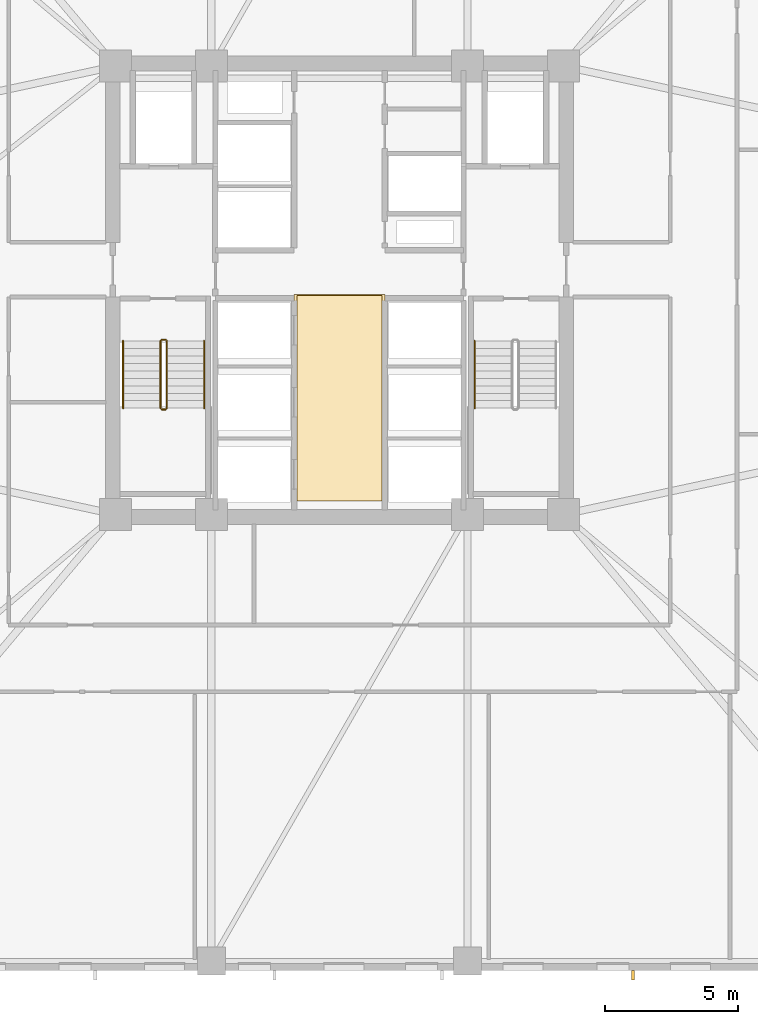
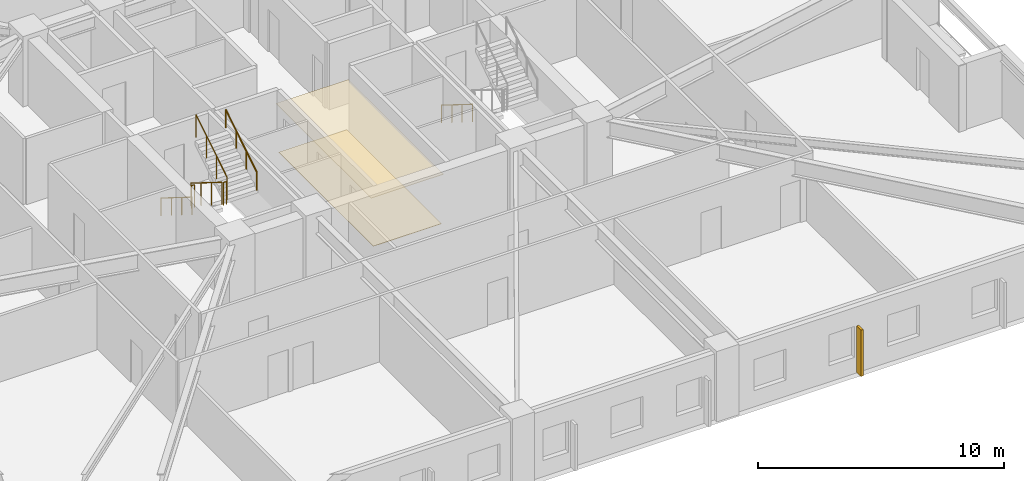
# One storey, part 8 of 11: 7 railings, 2 coverings, 1 shading device.
"""IFC4 building model written with IfcOpenShell, lengths in metres."""

from ifc_helpers import new_model, si_unit, direction, frame, origin, origin_2d, place, context, subcontext, project, spatial, polyline, rectangle, circle, outline, extrude, material, layer, layer_set, type_object, element, save


model = new_model("IFC4")

# Units and contexts
model_context = context("Model", 3, precision=1e-05, world=origin(), true_north=direction((0.0, 1.0)))
body_context = subcontext(model_context, "Body", "Model", "MODEL_VIEW")
ifc_project = project(units=[si_unit("LENGTHUNIT", "METRE"), si_unit("AREAUNIT", "SQUARE_METRE"), si_unit("VOLUMEUNIT", "CUBIC_METRE"), si_unit("PLANEANGLEUNIT", "RADIAN"), si_unit("MASSUNIT", "GRAM", prefix="KILO")], contexts=[model_context])

# Site, building, storey
site_placement = place(None, origin())
site = spatial("IfcSite", under=ifc_project, at=site_placement, CompositionType="ELEMENT")
building_placement = place(site_placement, origin())
building = spatial("IfcBuilding", under=site, at=building_placement, Name="Cairnveth Concourse Tower", CompositionType="ELEMENT")
storey_placement = place(building_placement, frame((0.0, 0.0, 55.0)))
storey = spatial("IfcBuildingStorey", under=building, at=storey_placement, Name="L14", CompositionType="ELEMENT", Elevation=55.0)

# Covering
ifc_material_1 = material(Name="Acoustic Mineral Fibre Ceiling", Category="gypsum")
ifc_layer_1 = layer(ifc_material_1, 0.02490234375)
ifc_layer_set_1 = layer_set([ifc_layer_1], Name="Acoustic Mineral Fibre Ceiling")
covering_type_1 = type_object("IfcCoveringType", Name="ACOUSTIC MINERAL FIBRE CEILING 25", PredefinedType="CEILING", material=ifc_layer_set_1)
covering_1_placement = place(storey_placement, frame((0.0, 0.0, 2.424072265625)))
element("IfcCovering", 1, at=covering_1_placement, inside=storey, type_object=covering_type_1, Name="Lift Lobby Acoustic Ceiling L14", PredefinedType="CEILING", context=body_context, shape_type="SweptSolid", body=[
    extrude(outline(polyline([(50.300048828125, 31.10009765625), (53.699951171875, 31.10009765625), (53.699951171875, 38.85009765625), (50.300048828125, 38.85009765625), (50.300048828125, 31.10009765625)])), origin(), (0.0, 0.0, 1.0), 0.02490234375),
])

# Shading device
ifc_material_2 = material(Name="Architectural Bronze Anodised Aluminium 6063-T6", Category="aluminium")
shading_device_type = type_object("IfcShadingDeviceType", Name="GOTHIC BRONZE VERTICAL LANCET FIN", PredefinedType="USERDEFINED", material=ifc_material_2)
shading_device_placement = place(storey_placement, frame((63.009521484375, 13.324951171875, 0.02978515625), z_axis=(0.0, 0.0, 1.0), x_axis=(1.0, 0.0, 0.0)))
element("IfcShadingDevice", 2, at=shading_device_placement, inside=storey, type_object=shading_device_type, Name="Gothic Bronze Vertical Fin L14-3-3", ObjectType="VERTICAL FIN", PredefinedType="USERDEFINED", context=body_context, shape_type="SweptSolid", body=[
    extrude(rectangle(XDim=0.1201171875, YDim=0.360107421875, at=origin_2d()), origin(), (0.0, 0.0, 1.0), 2.303955078125),
])

# Railings
ifc_material_3 = material(Name="Steel Grade 350", Category="steel")
railing_type_1 = type_object("IfcRailingType", Name="STAIR GUARDRAIL 1150", PredefinedType="GUARDRAIL", material=ifc_material_3)
railing_1_placement = place(storey_placement, frame((45.2900390625, 37.10009765625, 0.175048828125)))
element("IfcRailing", 3, at=railing_1_placement, inside=storey, type_object=railing_type_1, Name="L14 ST-1 stair guard 1", PredefinedType="GUARDRAIL", context=body_context, shape_type="SweptSolid", body=[
    extrude(circle(Radius=0.02392578125, at=origin_2d()), frame((0.0, 0.0, 1.1259765625), z_axis=(0.0, -0.848007534815, 0.529984170421), x_axis=(1.0, 0.0, 0.0)), (0.0, 0.0, 1.0), 2.9716796875),
    extrude(circle(Radius=0.02099609375, at=origin_2d()), origin(), (0.0, 0.0, 1.0), 1.101806640625),
    extrude(circle(Radius=0.02099609375, at=origin_2d()), frame((0.0, -0.840087890625, 0.52490234375)), (0.0, 0.0, 1.0), 1.101806640625),
    extrude(circle(Radius=0.02099609375, at=origin_2d()), frame((0.0, -1.679931640625, 1.050048828125)), (0.0, 0.0, 1.0), 1.101806640625),
    extrude(circle(Radius=0.02099609375, at=origin_2d()), frame((0.0, -2.52001953125, 1.574951171875)), (0.0, 0.0, 1.0), 1.101806640625),
])
railing_2_placement = place(storey_placement, frame((45.340087890625, 34.530029296875, 1.75)))
element("IfcRailing", 4, at=railing_2_placement, inside=storey, type_object=railing_type_1, Name="L14 ST-1 stair guard 2", PredefinedType="GUARDRAIL", context=body_context, shape_type="SweptSolid", body=[
    extrude(circle(Radius=0.02392578125, at=origin_2d()), frame((0.0, 0.0, 1.1259765625), z_axis=(1.0, 0.0, 0.0), x_axis=(0.0, 1.0, 0.0)), (0.0, 0.0, 1.0), 0.139892578125),
    extrude(circle(Radius=0.02099609375, at=origin_2d()), origin(), (0.0, 0.0, 1.0), 1.101806640625),
    extrude(circle(Radius=0.02099609375, at=origin_2d()), frame((0.139892578125, 0.0, 0.0)), (0.0, 0.0, 1.0), 1.101806640625),
])
railing_3_placement = place(storey_placement, frame((45.530029296875, 34.580078125, 1.925048828125)))
element("IfcRailing", 5, at=railing_3_placement, inside=storey, type_object=railing_type_1, Name="L14 ST-1 stair guard 3", PredefinedType="GUARDRAIL", context=body_context, shape_type="SweptSolid", body=[
    extrude(circle(Radius=0.02392578125, at=origin_2d()), frame((0.0, 0.0, 1.1259765625), z_axis=(0.0, 0.848007534815, 0.529984170421), x_axis=(-1.0, 0.0, 0.0)), (0.0, 0.0, 1.0), 2.9716796875),
    extrude(circle(Radius=0.02099609375, at=origin_2d()), origin(), (0.0, 0.0, 1.0), 1.101806640625),
    extrude(circle(Radius=0.02099609375, at=origin_2d()), frame((0.0, 0.840087890625, 0.52490234375)), (0.0, 0.0, 1.0), 1.101806640625),
    extrude(circle(Radius=0.02099609375, at=origin_2d()), frame((0.0, 1.679931640625, 1.050048828125)), (0.0, 0.0, 1.0), 1.101806640625),
    extrude(circle(Radius=0.02099609375, at=origin_2d()), frame((0.0, 2.52001953125, 1.574951171875)), (0.0, 0.0, 1.0), 1.101806640625),
])
railing_4_placement = place(storey_placement, frame((45.340087890625, 37.14990234375, 0.0)))
element("IfcRailing", 6, at=railing_4_placement, inside=storey, type_object=railing_type_1, Name="L14 ST-1 stair guard 4", PredefinedType="GUARDRAIL", context=body_context, shape_type="SweptSolid", body=[
    extrude(circle(Radius=0.02392578125, at=origin_2d()), frame((0.0, 0.0, 1.1259765625), z_axis=(1.0, 0.0, 0.0), x_axis=(0.0, 1.0, 0.0)), (0.0, 0.0, 1.0), 0.139892578125),
    extrude(circle(Radius=0.02099609375, at=origin_2d()), origin(), (0.0, 0.0, 1.0), 1.101806640625),
    extrude(circle(Radius=0.02099609375, at=origin_2d()), frame((0.139892578125, 0.0, 0.0)), (0.0, 0.0, 1.0), 1.101806640625),
])
railing_type_2 = type_object("IfcRailingType", Name="STAIR WALL HANDRAIL 900", PredefinedType="HANDRAIL", material=ifc_material_3)
railing_5_placement = place(storey_placement, frame((43.889892578125, 37.10009765625, 0.175048828125)))
element("IfcRailing", 7, at=railing_5_placement, inside=storey, type_object=railing_type_2, Name="L14 ST-1 stair handrail 1", PredefinedType="HANDRAIL", context=body_context, shape_type="SweptSolid", body=[
    extrude(circle(Radius=0.02392578125, at=origin_2d()), frame((0.0, 0.0, 0.8759765625), z_axis=(0.0, -0.848007534815, 0.529984170421), x_axis=(1.0, 0.0, 0.0)), (0.0, 0.0, 1.0), 2.9716796875),
    extrude(circle(Radius=0.02099609375, at=origin_2d()), origin(), (0.0, 0.0, 1.0), 0.851806640625),
    extrude(circle(Radius=0.02099609375, at=origin_2d()), frame((0.0, -0.840087890625, 0.52490234375)), (0.0, 0.0, 1.0), 0.851806640625),
    extrude(circle(Radius=0.02099609375, at=origin_2d()), frame((0.0, -1.679931640625, 1.050048828125)), (0.0, 0.0, 1.0), 0.851806640625),
    extrude(circle(Radius=0.02099609375, at=origin_2d()), frame((0.0, -2.52001953125, 1.574951171875)), (0.0, 0.0, 1.0), 0.851806640625),
])
railing_6_placement = place(storey_placement, frame((46.929931640625, 34.580078125, 1.925048828125)))
element("IfcRailing", 8, at=railing_6_placement, inside=storey, type_object=railing_type_2, Name="L14 ST-1 stair handrail 2", PredefinedType="HANDRAIL", context=body_context, shape_type="SweptSolid", body=[
    extrude(circle(Radius=0.02392578125, at=origin_2d()), frame((0.0, 0.0, 0.8759765625), z_axis=(0.0, 0.848007534815, 0.529984170421), x_axis=(-1.0, 0.0, 0.0)), (0.0, 0.0, 1.0), 2.9716796875),
    extrude(circle(Radius=0.02099609375, at=origin_2d()), origin(), (0.0, 0.0, 1.0), 0.851806640625),
    extrude(circle(Radius=0.02099609375, at=origin_2d()), frame((0.0, 0.840087890625, 0.52490234375)), (0.0, 0.0, 1.0), 0.851806640625),
    extrude(circle(Radius=0.02099609375, at=origin_2d()), frame((0.0, 1.679931640625, 1.050048828125)), (0.0, 0.0, 1.0), 0.851806640625),
    extrude(circle(Radius=0.02099609375, at=origin_2d()), frame((0.0, 2.52001953125, 1.574951171875)), (0.0, 0.0, 1.0), 0.851806640625),
])
railing_7_placement = place(storey_placement, frame((57.070068359375, 37.10009765625, 0.175048828125)))
element("IfcRailing", 9, at=railing_7_placement, inside=storey, type_object=railing_type_2, Name="L14 ST-2 stair handrail 1", PredefinedType="HANDRAIL", context=body_context, shape_type="SweptSolid", body=[
    extrude(circle(Radius=0.02392578125, at=origin_2d()), frame((0.0, 0.0, 0.8759765625), z_axis=(0.0, -0.848007534815, 0.529984170421), x_axis=(1.0, 0.0, 0.0)), (0.0, 0.0, 1.0), 2.9716796875),
    extrude(circle(Radius=0.02099609375, at=origin_2d()), origin(), (0.0, 0.0, 1.0), 0.851806640625),
    extrude(circle(Radius=0.02099609375, at=origin_2d()), frame((0.0, -0.840087890625, 0.52490234375)), (0.0, 0.0, 1.0), 0.851806640625),
    extrude(circle(Radius=0.02099609375, at=origin_2d()), frame((0.0, -1.679931640625, 1.050048828125)), (0.0, 0.0, 1.0), 0.851806640625),
    extrude(circle(Radius=0.02099609375, at=origin_2d()), frame((0.0, -2.52001953125, 1.574951171875)), (0.0, 0.0, 1.0), 0.851806640625),
])

# Covering
ifc_material_4 = material(Name="Vitrified Stoneware Tile Flooring", Category="masonry")
ifc_layer_2 = layer(ifc_material_4, 0.02001953125)
ifc_layer_set_2 = layer_set([ifc_layer_2], Name="Vitrified Stoneware Tile Flooring")
covering_type_2 = type_object("IfcCoveringType", Name="VITRIFIED STONEWARE LOBBY FLOORING 20", PredefinedType="FLOORING", material=ifc_layer_set_2)
covering_2_placement = place(storey_placement, origin())
element("IfcCovering", 10, at=covering_2_placement, inside=storey, type_object=covering_type_2, Name="Lift Lobby Stoneware Flooring L14", PredefinedType="FLOORING", context=body_context, shape_type="SweptSolid", body=[
    extrude(outline(polyline([(50.39990234375, 31.10009765625), (53.60009765625, 31.10009765625), (53.60009765625, 38.800048828125), (50.39990234375, 38.800048828125), (50.39990234375, 31.10009765625)])), origin(), (0.0, 0.0, 1.0), 0.02001953125),
])

save(model, "model.ifc")
